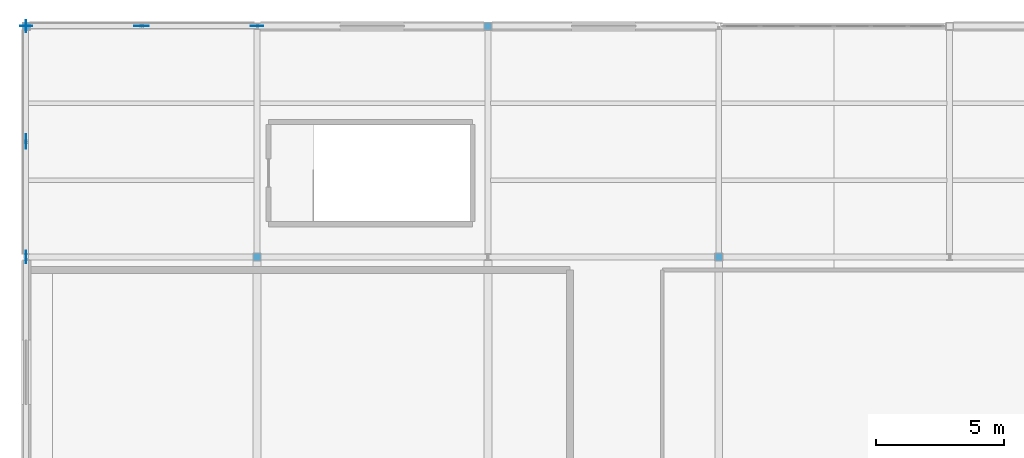
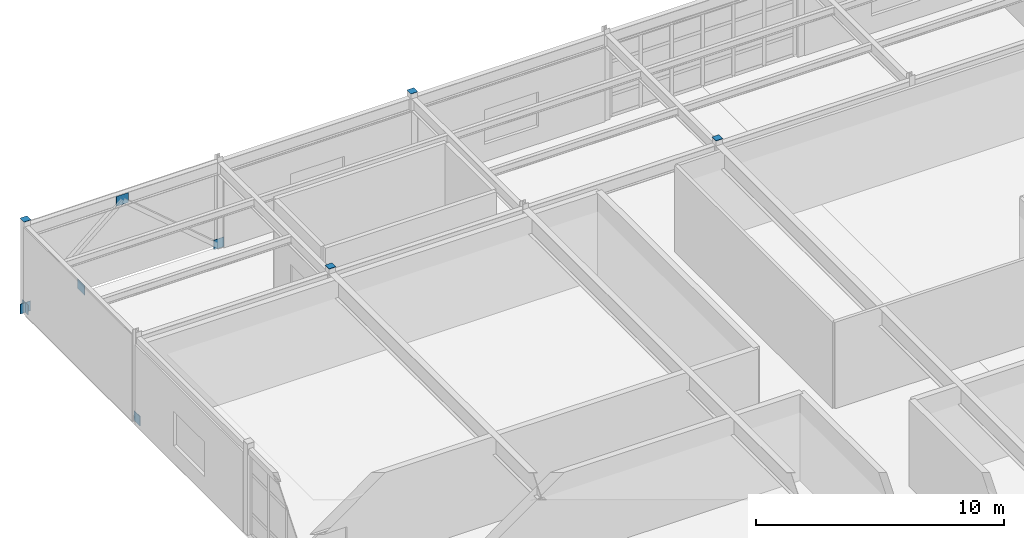
# One storey, part 68 of 81: 10 discrete accessories.
"""IFC4 building model written with IfcOpenShell, lengths in metres."""

from ifc_helpers import new_model, si_unit, direction, frame, origin, origin_2d, place, context, subcontext, project, spatial, rectangle, extrude, material, type_object, element, save


model = new_model("IFC4")

# Units and contexts
model_context = context("Model", 3, precision=1e-05, world=origin(), true_north=direction((0.0, 1.0)))
body_context = subcontext(model_context, "Body", "Model", "MODEL_VIEW")
ifc_project = project(units=[si_unit("LENGTHUNIT", "METRE"), si_unit("AREAUNIT", "SQUARE_METRE"), si_unit("VOLUMEUNIT", "CUBIC_METRE"), si_unit("PLANEANGLEUNIT", "RADIAN"), si_unit("MASSUNIT", "GRAM", prefix="KILO")], contexts=[model_context])

# Site, building, storey
site_placement = place(None, origin())
site = spatial("IfcSite", under=ifc_project, at=site_placement, CompositionType="ELEMENT")
building_placement = place(site_placement, origin())
building = spatial("IfcBuilding", under=site, at=building_placement, Name="Glasvene Arena", CompositionType="ELEMENT")
storey_placement = place(building_placement, frame((0.0, 0.0, 15.0)))
storey = spatial("IfcBuildingStorey", under=building, at=storey_placement, Name="L03", CompositionType="ELEMENT", Elevation=15.0)

# Discrete accessories
ifc_material = material(Name="Steel S355J2", Category="steel")
discrete_accessory_type_1 = type_object("IfcDiscreteAccessoryType", Name="ACC-BRACE-GP20", PredefinedType="BRACKET", material=ifc_material)
for number, where, z_axis, x_axis, name in (
    (1, (0.0, 109.0, -0.070068359375), (0.0, 0.0, 1.0), (1.0, 0.0, 0.0), "Chevron brace base gusset plate L03-023-A"),
    (2, (0.0, 118.0, -0.070068359375), (0.0, 0.0, 1.0), (1.0, 0.0, 0.0), "Chevron brace base gusset plate L03-024-B"),
):
    element("IfcDiscreteAccessory", number, at=place(storey_placement, frame(where, z_axis=z_axis, x_axis=x_axis)), inside=storey, type_object=discrete_accessory_type_1, Name=name, PredefinedType="BRACKET", context=body_context, shape_type="SweptSolid", body=[
        extrude(rectangle(XDim=0.02001953125, YDim=0.47998046875, at=origin_2d()), origin(), (0.0, 0.0, 1.0), 0.47998046875),
    ])
discrete_accessory_1_placement = place(storey_placement, frame((0.0, 113.5, 3.659912109375), z_axis=(0.0, 0.0, 1.0), x_axis=(1.0, 0.0, 0.0)))
element("IfcDiscreteAccessory", 3, at=discrete_accessory_1_placement, inside=storey, type_object=discrete_accessory_type_1, Name="Chevron brace apex gusset plate L03-024", PredefinedType="BRACKET", context=body_context, shape_type="SweptSolid", body=[
    extrude(rectangle(XDim=0.02001953125, YDim=0.56005859375, at=origin_2d()), origin(), (0.0, 0.0, 1.0), 0.47998046875),
])
for number, where, z_axis, x_axis, name in (
    (4, (0.0, 118.0, -0.070068359375), (0.0, 0.0, 1.0), (1.0, 0.0, 0.0), "Chevron brace base gusset plate L03-031-A"),
    (5, (9.0, 118.0, -0.070068359375), (0.0, 0.0, 1.0), (1.0, 0.0, 0.0), "Chevron brace base gusset plate L03-032-B"),
):
    element("IfcDiscreteAccessory", number, at=place(storey_placement, frame(where, z_axis=z_axis, x_axis=x_axis)), inside=storey, type_object=discrete_accessory_type_1, Name=name, PredefinedType="BRACKET", context=body_context, shape_type="SweptSolid", body=[
        extrude(rectangle(XDim=0.47998046875, YDim=0.02001953125, at=origin_2d()), origin(), (0.0, 0.0, 1.0), 0.47998046875),
    ])
discrete_accessory_2_placement = place(storey_placement, frame((4.5, 118.0, 3.659912109375), z_axis=(0.0, 0.0, 1.0), x_axis=(1.0, 0.0, 0.0)))
element("IfcDiscreteAccessory", 6, at=discrete_accessory_2_placement, inside=storey, type_object=discrete_accessory_type_1, Name="Chevron brace apex gusset plate L03-032", PredefinedType="BRACKET", context=body_context, shape_type="SweptSolid", body=[
    extrude(rectangle(XDim=0.56005859375, YDim=0.02001953125, at=origin_2d()), origin(), (0.0, 0.0, 1.0), 0.47998046875),
])
discrete_accessory_type_2 = type_object("IfcDiscreteAccessoryType", Name="ACC-CAP-SHS320", PredefinedType="USERDEFINED", material=ifc_material)
for number, where, z_axis, x_axis, name in (
    (7, (0.0, 118.0, 4.498046875), (0.0, 0.0, 1.0), (1.0, 0.0, 0.0), "Hollow column top cap plate 1-14 L03"),
    (8, (9.0, 109.0, 4.498046875), (0.0, 0.0, 1.0), (1.0, 0.0, 0.0), "Hollow column top cap plate 2-13 L03"),
    (9, (18.0, 118.0, 4.498046875), (0.0, 0.0, 1.0), (1.0, 0.0, 0.0), "Hollow column top cap plate 3-14 L03"),
    (10, (27.0, 109.0, 4.498046875), (0.0, 0.0, 1.0), (1.0, 0.0, 0.0), "Hollow column top cap plate 4-13 L03"),
):
    element("IfcDiscreteAccessory", number, at=place(storey_placement, frame(where, z_axis=z_axis, x_axis=x_axis)), inside=storey, type_object=discrete_accessory_type_2, Name=name, ObjectType="CAP PLATE", PredefinedType="USERDEFINED", context=body_context, shape_type="SweptSolid", body=[
        extrude(rectangle(XDim=0.320068359375, YDim=0.320068359375, at=origin_2d()), origin(), (0.0, 0.0, 1.0), 0.02001953125),
    ])

save(model, "model.ifc")
